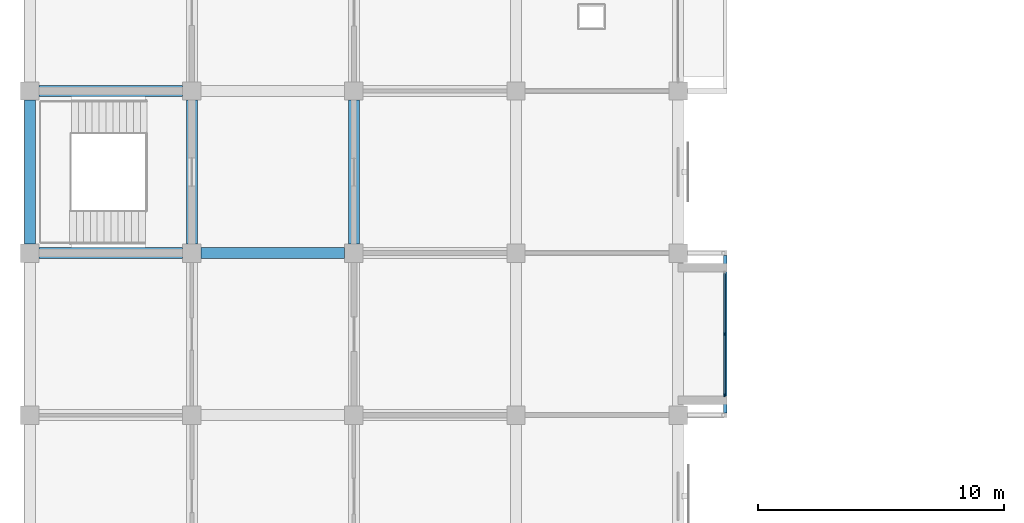
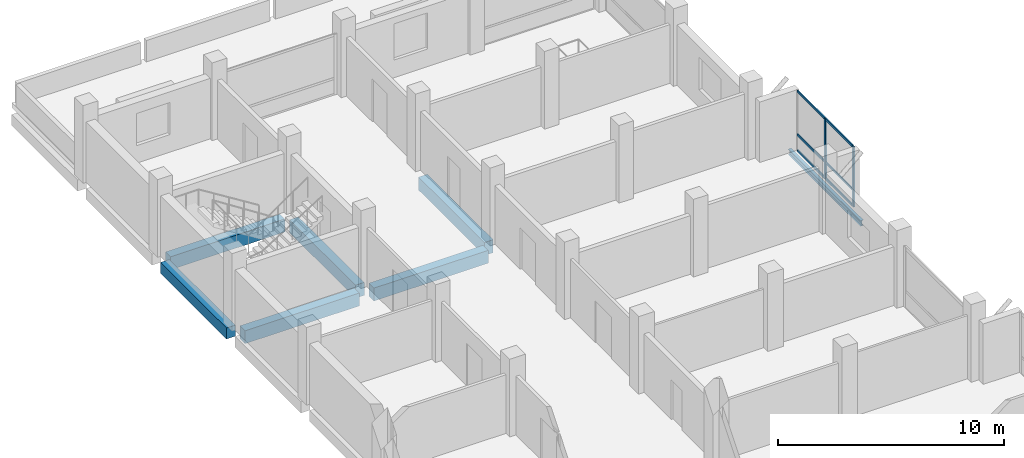
# One storey, part 4 of 15: 8 members, 7 beams, 1 element without a shape of its own.
"""IFC4 building model written with IfcOpenShell, lengths in metres."""

from ifc_helpers import new_model, si_unit, direction, frame, origin, origin_2d, place, context, subcontext, project, spatial, rectangle, i_section, extrude, material, material_profile, profile_set, type_object, element, aggregate, save


model = new_model("IFC4")

# Units and contexts
model_context = context("Model", 3, precision=1e-05, world=origin(), true_north=direction((0.0, 1.0)))
body_context = subcontext(model_context, "Body", "Model", "MODEL_VIEW")
ifc_project = project(units=[si_unit("LENGTHUNIT", "METRE"), si_unit("AREAUNIT", "SQUARE_METRE"), si_unit("VOLUMEUNIT", "CUBIC_METRE"), si_unit("PLANEANGLEUNIT", "RADIAN"), si_unit("MASSUNIT", "GRAM", prefix="KILO")], contexts=[model_context])

# Site, building, storey
site_placement = place(None, origin())
site = spatial("IfcSite", under=ifc_project, at=site_placement, CompositionType="ELEMENT")
building_placement = place(site_placement, origin())
building = spatial("IfcBuilding", under=site, at=building_placement, Name="Rusizi Kubbe Research Institute", CompositionType="ELEMENT")
storey_placement = place(building_placement, frame((0.0, 0.0, 27.0)))
storey = spatial("IfcBuildingStorey", under=building, at=storey_placement, Name="L06", CompositionType="ELEMENT", Elevation=27.0)

# Beams
ifc_material_1 = material(Name="Steel S355", Category="steel")
ifc_material_profile_1 = material_profile(ifc_material_1, i_section(OverallWidth=0.14990234375, OverallDepth=0.300048828125, WebThickness=0.007080078125, FlangeThickness=0.0107421875, at=origin_2d()), Name="IPE 300")
ifc_profile_set_1 = profile_set([ifc_material_profile_1], Name="Steel S355")
beam_type_1 = type_object("IfcBeamType", Name="BM-IPE300", PredefinedType="BEAM", material=ifc_profile_set_1)
beam_1_placement = place(storey_placement, frame((28.324951171875, 59.4951171875, -0.47998046875), z_axis=(0.0, 1.0, 0.0), x_axis=(-1.0, 0.0, 0.0)))
element("IfcBeam", 1, at=beam_1_placement, inside=storey, type_object=beam_type_1, Name="Cumba Edge Tie Beam L06-2", PredefinedType="BEAM", context=body_context, shape_type="SweptSolid", body=[
    extrude(i_section(OverallWidth=0.14990234375, OverallDepth=0.300048828125, WebThickness=0.007080078125, FlangeThickness=0.0107421875, at=origin_2d()), origin(), (0.0, 0.0, 1.0), 6.409912109375),
])
ifc_material_2 = material(Name="Concrete C40/50", Category="concrete")
ifc_material_profile_2 = material_profile(ifc_material_2, rectangle(XDim=0.449951171875, YDim=0.60009765625, at=origin_2d()), Name="RC450x600")
ifc_profile_set_2 = profile_set([ifc_material_profile_2], Name="Concrete C40/50")
beam_type_2 = type_object("IfcBeamType", Name="BM-RC450x600", PredefinedType="SPANDREL", material=ifc_profile_set_2)
beam_2_placement = place(storey_placement, frame((0.0, 66.375, -0.6298828125), z_axis=(0.0, 1.0, 0.0), x_axis=(-1.0, 0.0, 0.0)))
element("IfcBeam", 2, at=beam_2_placement, inside=storey, type_object=beam_type_2, Name="Grid Beam V L06 (0,10)", PredefinedType="SPANDREL", context=body_context, shape_type="SweptSolid", body=[
    extrude(rectangle(XDim=0.449951171875, YDim=0.60009765625, at=origin_2d()), origin(), (0.0, 0.0, 1.0), 5.85009765625),
])
ifc_material_3 = material(Name="Concrete C40/50", Category="concrete")
ifc_material_profile_3 = material_profile(ifc_material_3, rectangle(XDim=0.449951171875, YDim=0.699951171875, at=origin_2d()), Name="RC450x700B")
ifc_profile_set_3 = profile_set([ifc_material_profile_3], Name="Concrete C40/50")
beam_type_3 = type_object("IfcBeamType", Name="BM-RC450x700", PredefinedType="BEAM", material=ifc_profile_set_3)
for number, where, z_axis, x_axis, name in (
    (3, (0.375, 66.0, -0.679931640625), (1.0, 0.0, 0.0), (0.0, 1.0, 0.0), "Grid Beam H L06 (0,10)"),
    (4, (0.375, 72.60009765625, -0.679931640625), (1.0, 0.0, 0.0), (0.0, 1.0, 0.0), "Grid Beam H L06 (0,11)"),
):
    element("IfcBeam", number, at=place(storey_placement, frame(where, z_axis=z_axis, x_axis=x_axis)), inside=storey, type_object=beam_type_3, Name=name, PredefinedType="BEAM", context=body_context, shape_type="SweptSolid", body=[
        extrude(rectangle(XDim=0.449951171875, YDim=0.699951171875, at=origin_2d()), origin(), (0.0, 0.0, 1.0), 5.85009765625),
    ])
beam_3_placement = place(storey_placement, frame((6.97509765625, 66.0, -0.679931640625), z_axis=(1.0, 0.0, 0.0), x_axis=(0.0, 1.0, 0.0)))
element("IfcBeam", 5, at=beam_3_placement, inside=storey, type_object=beam_type_3, Name="Grid Beam H L06 (1,10)", PredefinedType="BEAM", context=body_context, shape_type="SweptSolid", body=[
    extrude(rectangle(XDim=0.449951171875, YDim=0.699951171875, at=origin_2d()), origin(), (0.0, 0.0, 1.0), 5.849853515625),
])
for number, where, z_axis, x_axis, name in (
    (6, (6.60009765625, 66.375, -0.679931640625), (0.0, 1.0, 0.0), (-1.0, 0.0, 0.0), "Grid Beam V L06 (1,10)"),
    (7, (13.199951171875, 66.375, -0.679931640625), (0.0, 1.0, 0.0), (-1.0, 0.0, 0.0), "Grid Beam V L06 (2,10)"),
):
    element("IfcBeam", number, at=place(storey_placement, frame(where, z_axis=z_axis, x_axis=x_axis)), inside=storey, type_object=beam_type_3, Name=name, PredefinedType="BEAM", context=body_context, shape_type="SweptSolid", body=[
        extrude(rectangle(XDim=0.449951171875, YDim=0.699951171875, at=origin_2d()), origin(), (0.0, 0.0, 1.0), 5.85009765625),
    ])

# Curtain wall, members
ifc_material_4 = material(Name="Thermally Broken Aluminium and Low-E Glazing", Category="aluminium")
curtain_wall_type = type_object("IfcCurtainWallType", Name="CW-02", PredefinedType="NOTDEFINED", material=ifc_material_4)
curtain_wall_placement = place(storey_placement, origin())
curtain_wall = element("IfcCurtainWall", 8, at=curtain_wall_placement, inside=storey, type_object=curtain_wall_type, Name="Cumba Glazed Curtain Wall CW-CUMBA-L06-072", PredefinedType="NOTDEFINED")
ifc_material_5 = material(Name="Aluminium Alloy 6063-T6", Category="aluminium")
ifc_material_profile_4 = material_profile(ifc_material_5, rectangle(XDim=0.06005859375, YDim=0.14990234375, at=origin_2d()), Name="ALU-M 60x150")
ifc_profile_set_4 = profile_set([ifc_material_profile_4], Name="Aluminium Alloy 6063-T6")
member_type_1 = type_object("IfcMemberType", Name="ML-01", PredefinedType="MULLION", material=ifc_profile_set_4)
member_1_placement = place(storey_placement, frame((28.300048828125, 60.21240234375, 0.0), z_axis=(0.0, 0.0, 1.0), x_axis=(-1.0, 0.0, 0.0)))
member_1 = element("IfcMember", 9, at=member_1_placement, type_object=member_type_1, Name="CW-02 mullion 1", PredefinedType="MULLION", context=body_context, shape_type="SweptSolid", body=[
    extrude(rectangle(XDim=0.06005859375, YDim=0.14990234375, at=origin_2d()), origin(), (0.0, 0.0, 1.0), 3.27001953125),
])
member_2_placement = place(storey_placement, frame((28.300048828125, 62.699951171875, 0.0), z_axis=(0.0, 0.0, 1.0), x_axis=(-1.0, 0.0, 0.0)))
member_2 = element("IfcMember", 10, at=member_2_placement, type_object=member_type_1, Name="CW-02 mullion 2", PredefinedType="MULLION", context=body_context, shape_type="SweptSolid", body=[
    extrude(rectangle(XDim=0.06005859375, YDim=0.14990234375, at=origin_2d()), origin(), (0.0, 0.0, 1.0), 3.27001953125),
])
ifc_material_6 = material(Name="Aluminium Alloy 6063-T6", Category="aluminium")
ifc_material_profile_5 = material_profile(ifc_material_6, rectangle(XDim=0.06005859375, YDim=0.1201171875, at=origin_2d()), Name="ALU-T 60x120")
ifc_profile_set_5 = profile_set([ifc_material_profile_5], Name="Aluminium Alloy 6063-T6")
member_type_2 = type_object("IfcMemberType", Name="TR-01", PredefinedType="USERDEFINED", material=ifc_profile_set_5)
member_3_placement = place(storey_placement, frame((28.300048828125, 60.242431640625, 0.030029296875), z_axis=(0.0, 1.0, 0.0), x_axis=(-1.0, 0.0, 0.0)))
member_3 = element("IfcMember", 11, at=member_3_placement, type_object=member_type_2, Name="CW-02 transom 1.1", ObjectType="TRANSOM", PredefinedType="USERDEFINED", context=body_context, shape_type="SweptSolid", body=[
    extrude(rectangle(XDim=0.06005859375, YDim=0.1201171875, at=origin_2d()), origin(), (0.0, 0.0, 1.0), 2.427490234375),
])
member_4_placement = place(storey_placement, frame((28.300048828125, 60.242431640625, 0.89990234375), z_axis=(0.0, 1.0, 0.0), x_axis=(-1.0, 0.0, 0.0)))
member_4 = element("IfcMember", 12, at=member_4_placement, type_object=member_type_2, Name="CW-02 transom 1.2", ObjectType="TRANSOM", PredefinedType="USERDEFINED", context=body_context, shape_type="SweptSolid", body=[
    extrude(rectangle(XDim=0.06005859375, YDim=0.1201171875, at=origin_2d()), origin(), (0.0, 0.0, 1.0), 2.427490234375),
])
member_5_placement = place(storey_placement, frame((28.300048828125, 60.242431640625, 3.239990234375), z_axis=(0.0, 1.0, 0.0), x_axis=(-1.0, 0.0, 0.0)))
member_5 = element("IfcMember", 13, at=member_5_placement, type_object=member_type_2, Name="CW-02 transom 1.3", ObjectType="TRANSOM", PredefinedType="USERDEFINED", context=body_context, shape_type="SweptSolid", body=[
    extrude(rectangle(XDim=0.06005859375, YDim=0.1201171875, at=origin_2d()), origin(), (0.0, 0.0, 1.0), 2.427490234375),
])
member_6_placement = place(storey_placement, frame((28.300048828125, 62.72998046875, 0.030029296875), z_axis=(0.0, 1.0, 0.0), x_axis=(-1.0, 0.0, 0.0)))
member_6 = element("IfcMember", 14, at=member_6_placement, type_object=member_type_2, Name="CW-02 transom 2.1", ObjectType="TRANSOM", PredefinedType="USERDEFINED", context=body_context, shape_type="SweptSolid", body=[
    extrude(rectangle(XDim=0.06005859375, YDim=0.1201171875, at=origin_2d()), origin(), (0.0, 0.0, 1.0), 2.427490234375),
])
member_7_placement = place(storey_placement, frame((28.300048828125, 62.72998046875, 0.89990234375), z_axis=(0.0, 1.0, 0.0), x_axis=(-1.0, 0.0, 0.0)))
member_7 = element("IfcMember", 15, at=member_7_placement, type_object=member_type_2, Name="CW-02 transom 2.2", ObjectType="TRANSOM", PredefinedType="USERDEFINED", context=body_context, shape_type="SweptSolid", body=[
    extrude(rectangle(XDim=0.06005859375, YDim=0.1201171875, at=origin_2d()), origin(), (0.0, 0.0, 1.0), 2.427490234375),
])
member_8_placement = place(storey_placement, frame((28.300048828125, 62.72998046875, 3.239990234375), z_axis=(0.0, 1.0, 0.0), x_axis=(-1.0, 0.0, 0.0)))
member_8 = element("IfcMember", 16, at=member_8_placement, type_object=member_type_2, Name="CW-02 transom 2.3", ObjectType="TRANSOM", PredefinedType="USERDEFINED", context=body_context, shape_type="SweptSolid", body=[
    extrude(rectangle(XDim=0.06005859375, YDim=0.1201171875, at=origin_2d()), origin(), (0.0, 0.0, 1.0), 2.427490234375),
])
aggregate(curtain_wall, [member_1, member_2, member_3, member_4, member_5, member_6, member_7, member_8])

save(model, "model.ifc")
